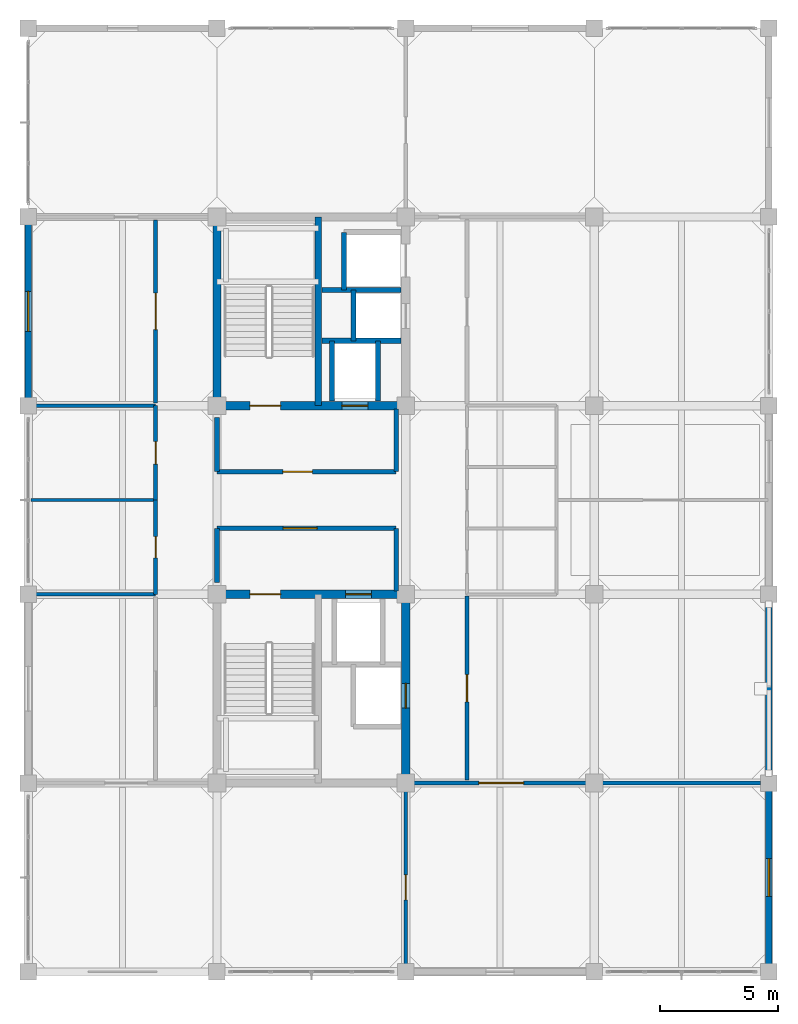
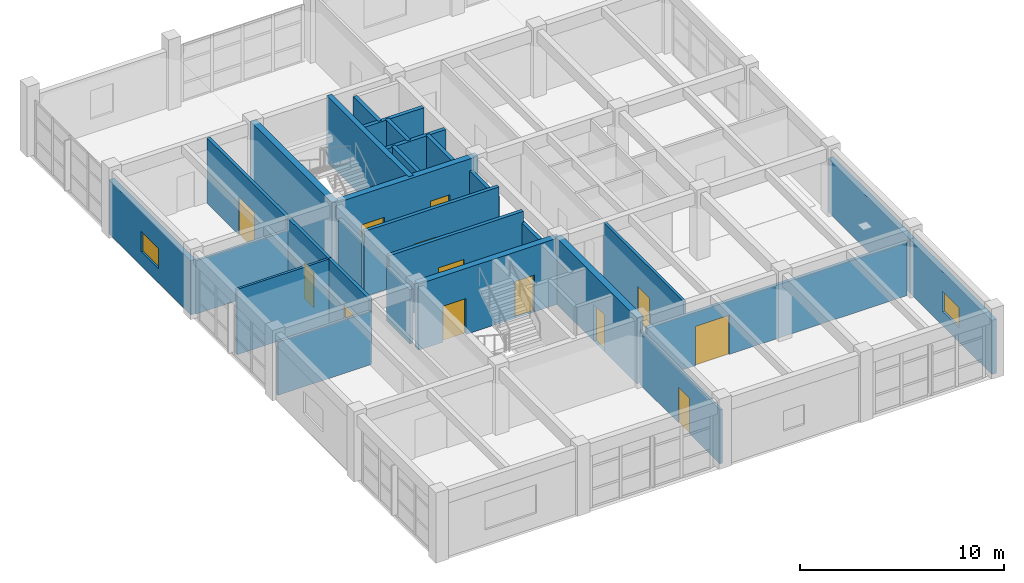
# One storey, part 15 of 19: 29 walls, 13 doors, 2 windows, 15 openings.
"""IFC4 building model written with IfcOpenShell, lengths in metres."""

from ifc_helpers import new_model, si_unit, direction, frame, frame_2d, origin, place, context, subcontext, project, spatial, rectangle, extrude, material, layer, layer_set, type_object, element, fill, save


model = new_model("IFC4")

# Units and contexts
model_context = context("Model", 3, precision=1e-05, world=origin(), true_north=direction((0.0, 1.0)))
body_context = subcontext(model_context, "Body", "Model", "MODEL_VIEW")
ifc_project = project(units=[si_unit("LENGTHUNIT", "METRE"), si_unit("AREAUNIT", "SQUARE_METRE"), si_unit("VOLUMEUNIT", "CUBIC_METRE"), si_unit("PLANEANGLEUNIT", "RADIAN"), si_unit("MASSUNIT", "GRAM", prefix="KILO")], contexts=[model_context])

# Site, building, storey
site_placement = place(None, origin())
site = spatial("IfcSite", under=ifc_project, at=site_placement, CompositionType="ELEMENT")
building_placement = place(site_placement, origin())
building = spatial("IfcBuilding", under=site, at=building_placement, Name="Canggui Botanical Conservatory", CompositionType="ELEMENT")
storey_placement = place(building_placement, frame((0.0, 0.0, 44.39990234375)))
storey = spatial("IfcBuildingStorey", under=building, at=storey_placement, Name="L11", CompositionType="ELEMENT", Elevation=44.39990234375)

# Wall, opening, window
ifc_material_1 = material(Name="Precast Concrete C40", Category="concrete")
ifc_layer_1 = layer(ifc_material_1, 0.280029296875, Name="Precast Concrete C40", Category="concrete")
ifc_layer_set_1 = layer_set([ifc_layer_1], Name="Precast Concrete C40")
wall_type_1 = type_object("IfcWallType", Name="EW-280", PredefinedType="STANDARD", material=ifc_layer_set_1)
wall_1_placement = place(storey_placement, frame((146.0, 58.0, 0.0), z_axis=(0.0, 0.0, 1.0), x_axis=(0.0, 1.0, 0.0)))
wall_1 = element("IfcWall", 1, at=wall_1_placement, inside=storey, type_object=wall_type_1, Name="Tower Insulated Exterior Wall L11-W8", PredefinedType="STANDARD", context=body_context, shape_type="SweptSolid", body=[
    extrude(rectangle(XDim=8.0, YDim=0.280029296875, at=frame_2d((4.0, 0.0))), origin(), (0.0, 0.0, 1.0), 3.239990234375),
])
opening_1_placement = place(wall_1_placement, frame((3.14990234375, 0.0, 0.85009765625)))
opening_1 = element("IfcOpeningElement", 2, at=opening_1_placement, cuts=wall_1, Name="Opening W-23", PredefinedType="OPENING", context=body_context, shape_type="SweptSolid", body=[
    extrude(rectangle(XDim=1.699951171875, YDim=1.199951171875, at=frame_2d((0.85009765625, 0.60009765625))), frame((0.0, 0.14990234375, 0.0), z_axis=(0.0, -1.0, 0.0), x_axis=(1.0, 0.0, 0.0)), (0.0, 0.0, 1.0), 0.300048828125),
])
ifc_material_2 = material(Name="Low-E Insulated Glass", Category="glass")
window_type_1 = type_object("IfcWindowType", Name="WIN-23", PartitioningType="SINGLE_PANEL", PredefinedType="WINDOW", material=ifc_material_2)
window_1_placement = place(opening_1_placement, origin())
window_1 = element("IfcWindow", 3, at=window_1_placement, inside=storey, type_object=window_type_1, Name="Tower Window L11-8", OverallHeight=1.199951171875, OverallWidth=1.699951171875, PartitioningType="SINGLE_PANEL", PredefinedType="WINDOW", context=body_context, shape_type="SweptSolid", body=[
    extrude(rectangle(XDim=1.699951171875, YDim=1.199951171875, at=frame_2d((0.85009765625, 0.60009765625))), frame((0.0, 0.030029296875, 0.0), z_axis=(0.0, -1.0, 0.0), x_axis=(1.0, 0.0, 0.0)), (0.0, 0.0, 1.0), 0.06005859375),
])
fill(opening_1, window_1)

# Wall
wall_2_placement = place(storey_placement, frame((177.39990234375, 50.0, 0.0), z_axis=(0.0, 0.0, 1.0), x_axis=(0.0, -1.0, 0.0)))
element("IfcWall", 4, at=wall_2_placement, inside=storey, type_object=wall_type_1, Name="Tower Insulated Exterior Wall L11-E17", PredefinedType="STANDARD", context=body_context, shape_type="SweptSolid", body=[
    extrude(rectangle(XDim=8.0, YDim=0.280029296875, at=frame_2d((4.0, 0.0))), origin(), (0.0, 0.0, 1.0), 3.239990234375),
])

# Wall, opening, window
wall_3_placement = place(storey_placement, frame((177.39990234375, 42.0, 0.0), z_axis=(0.0, 0.0, 1.0), x_axis=(0.0, -1.0, 0.0)))
wall_3 = element("IfcWall", 5, at=wall_3_placement, inside=storey, type_object=wall_type_1, Name="Tower Insulated Exterior Wall L11-E18", PredefinedType="STANDARD", context=body_context, shape_type="SweptSolid", body=[
    extrude(rectangle(XDim=8.0, YDim=0.280029296875, at=frame_2d((4.0, 0.0))), origin(), (0.0, 0.0, 1.0), 3.239990234375),
])
opening_2_placement = place(wall_3_placement, frame((3.199951171875, 0.0, 0.85009765625)))
opening_2 = element("IfcOpeningElement", 6, at=opening_2_placement, cuts=wall_3, Name="Opening W-04", PredefinedType="OPENING", context=body_context, shape_type="SweptSolid", body=[
    extrude(rectangle(XDim=1.60009765625, YDim=1.199951171875, at=frame_2d((0.800048828125, 0.60009765625))), frame((0.0, 0.14990234375, 0.0), z_axis=(0.0, -1.0, 0.0), x_axis=(1.0, 0.0, 0.0)), (0.0, 0.0, 1.0), 0.300048828125),
])
window_type_2 = type_object("IfcWindowType", Name="WIN-04", PartitioningType="SINGLE_PANEL", PredefinedType="WINDOW", material=ifc_material_2)
window_2_placement = place(opening_2_placement, origin())
window_2 = element("IfcWindow", 7, at=window_2_placement, inside=storey, type_object=window_type_2, Name="Tower Window L11-18", OverallHeight=1.199951171875, OverallWidth=1.60009765625, PartitioningType="SINGLE_PANEL", PredefinedType="WINDOW", context=body_context, shape_type="SweptSolid", body=[
    extrude(rectangle(XDim=1.60009765625, YDim=1.199951171875, at=frame_2d((0.800048828125, 0.60009765625))), frame((0.0, 0.030029296875, 0.0), z_axis=(0.0, -1.0, 0.0), x_axis=(1.0, 0.0, 0.0)), (0.0, 0.0, 1.0), 0.06005859375),
])
fill(opening_2, window_2)

# Wall, opening, door
ifc_material_3 = material(Name="Gypsum Plasterboard Partition")
ifc_layer_2 = layer(ifc_material_3, 0.175048828125, Name="Gypsum Plasterboard Partition")
ifc_layer_set_2 = layer_set([ifc_layer_2], Name="Gypsum Plasterboard Partition")
wall_type_2 = type_object("IfcWallType", Name="IW-CORR-175", PredefinedType="STANDARD", material=ifc_layer_set_2)
wall_4_placement = place(storey_placement, frame((151.39990234375, 58.1201171875, 0.0), z_axis=(0.0, 0.0, 1.0), x_axis=(0.0, 1.0, 0.0)))
wall_4 = element("IfcWall", 8, at=wall_4_placement, inside=storey, type_object=wall_type_2, Name="L11 Analytical Standards Prep Room Corridor Wall", PredefinedType="STANDARD", context=body_context, shape_type="SweptSolid", body=[
    extrude(rectangle(XDim=7.759765625, YDim=0.175048828125, at=frame_2d((3.8798828125, 0.0))), origin(), (0.0, 0.0, 1.0), 3.900146484375),
])
opening_3_placement = place(wall_4_placement, frame((3.10498046875, 0.0, 0.0)))
opening_3 = element("IfcOpeningElement", 9, at=opening_3_placement, cuts=wall_4, Name="Opening FD-14", PredefinedType="OPENING", context=body_context, shape_type="SweptSolid", body=[
    extrude(rectangle(XDim=1.550048828125, YDim=2.25, at=frame_2d((0.77490234375, 1.125))), frame((0.0, 0.09765625, 0.0), z_axis=(0.0, -1.0, 0.0), x_axis=(1.0, 0.0, 0.0)), (0.0, 0.0, 1.0), 0.195068359375),
])
ifc_material_4 = material(Name="Powder-Coated Steel", Category="steel")
door_type_1 = type_object("IfcDoorType", Name="FD-14", OperationType="NOTDEFINED", PredefinedType="DOOR", material=ifc_material_4)
door_1_placement = place(opening_3_placement, origin())
door_1 = element("IfcDoor", 10, at=door_1_placement, inside=storey, type_object=door_type_1, Name="L11 Analytical Standards Prep Room Entrance Door", OperationType="SINGLE_SWING_RIGHT", OverallHeight=2.25, OverallWidth=1.550048828125, PredefinedType="DOOR", context=body_context, shape_type="SweptSolid", body=[
    extrude(rectangle(XDim=1.550048828125, YDim=2.25, at=frame_2d((0.77490234375, 1.125))), frame((0.0, 0.02490234375, 0.0), z_axis=(0.0, -1.0, 0.0), x_axis=(1.0, 0.0, 0.0)), (0.0, 0.0, 1.0), 0.050048828125),
])
fill(opening_3, door_1)

wall_5_placement = place(storey_placement, frame((151.39990234375, 50.0, 0.0), z_axis=(0.0, 0.0, 1.0), x_axis=(0.0, 1.0, 0.0)))
wall_5 = element("IfcWall", 11, at=wall_5_placement, inside=storey, type_object=wall_type_2, Name="L11 Cleaners' Store Wall", PredefinedType="STANDARD", context=body_context, shape_type="SweptSolid", body=[
    extrude(rectangle(XDim=4.0, YDim=0.175048828125, at=frame_2d((2.0, 0.0))), origin(), (0.0, 0.0, 1.0), 3.900146484375),
])
opening_4_placement = place(wall_5_placement, frame((1.550048828125, 0.0, 0.0)))
opening_4 = element("IfcOpeningElement", 12, at=opening_4_placement, cuts=wall_5, Name="Opening FD-01", PredefinedType="OPENING", context=body_context, shape_type="SweptSolid", body=[
    extrude(rectangle(XDim=0.89990234375, YDim=2.10009765625, at=frame_2d((0.449951171875, 1.050048828125))), frame((0.0, 0.09765625, 0.0), z_axis=(0.0, -1.0, 0.0), x_axis=(1.0, 0.0, 0.0)), (0.0, 0.0, 1.0), 0.195068359375),
])
door_type_2 = type_object("IfcDoorType", Name="FD-01", OperationType="NOTDEFINED", PredefinedType="DOOR", material=ifc_material_4)
door_2_placement = place(opening_4_placement, origin())
door_2 = element("IfcDoor", 13, at=door_2_placement, inside=storey, type_object=door_type_2, Name="Interior Door IW-L11-STRW1", OperationType="SINGLE_SWING_LEFT", OverallHeight=2.10009765625, OverallWidth=0.89990234375, PredefinedType="DOOR", context=body_context, shape_type="SweptSolid", body=[
    extrude(rectangle(XDim=0.89990234375, YDim=2.10009765625, at=frame_2d((0.449951171875, 1.050048828125))), frame((0.0, 0.02490234375, 0.0), z_axis=(0.0, -1.0, 0.0), x_axis=(1.0, 0.0, 0.0)), (0.0, 0.0, 1.0), 0.050048828125),
])
fill(opening_4, door_2)

wall_6_placement = place(storey_placement, frame((151.39990234375, 54.0, 0.0), z_axis=(0.0, 0.0, 1.0), x_axis=(0.0, 1.0, 0.0)))
wall_6 = element("IfcWall", 14, at=wall_6_placement, inside=storey, type_object=wall_type_2, Name="L11 Consumables Store Wall", PredefinedType="STANDARD", context=body_context, shape_type="SweptSolid", body=[
    extrude(rectangle(XDim=4.0, YDim=0.175048828125, at=frame_2d((2.0, 0.0))), origin(), (0.0, 0.0, 1.0), 3.900146484375),
])
opening_5_placement = place(wall_6_placement, frame((1.52490234375, 0.0, 0.0)))
opening_5 = element("IfcOpeningElement", 15, at=opening_5_placement, cuts=wall_6, Name="Opening FD-02", PredefinedType="OPENING", context=body_context, shape_type="SweptSolid", body=[
    extrude(rectangle(XDim=0.949951171875, YDim=2.10009765625, at=frame_2d((0.47509765625, 1.050048828125))), frame((0.0, 0.09765625, 0.0), z_axis=(0.0, -1.0, 0.0), x_axis=(1.0, 0.0, 0.0)), (0.0, 0.0, 1.0), 0.195068359375),
])
door_type_3 = type_object("IfcDoorType", Name="FD-02", OperationType="NOTDEFINED", PredefinedType="DOOR", material=ifc_material_4)
door_3_placement = place(opening_5_placement, origin())
door_3 = element("IfcDoor", 16, at=door_3_placement, inside=storey, type_object=door_type_3, Name="Interior Door IW-L11-STRW2", OperationType="SINGLE_SWING_RIGHT", OverallHeight=2.10009765625, OverallWidth=0.949951171875, PredefinedType="DOOR", context=body_context, shape_type="SweptSolid", body=[
    extrude(rectangle(XDim=0.949951171875, YDim=2.10009765625, at=frame_2d((0.47509765625, 1.050048828125))), frame((0.0, 0.02490234375, 0.0), z_axis=(0.0, -1.0, 0.0), x_axis=(1.0, 0.0, 0.0)), (0.0, 0.0, 1.0), 0.050048828125),
])
fill(opening_5, door_3)

wall_7_placement = place(storey_placement, frame((162.35009765625, 42.0, 0.0), z_axis=(0.0, 0.0, 1.0), x_axis=(1.0, 0.0, 0.0)))
wall_7 = element("IfcWall", 17, at=wall_7_placement, inside=storey, type_object=wall_type_2, Name="L11 Mass Spectrometry Instrument Room South Suite Wall", PredefinedType="STANDARD", context=body_context, shape_type="SweptSolid", body=[
    extrude(rectangle(XDim=14.699951171875, YDim=0.175048828125, at=frame_2d((7.35009765625, 0.0))), origin(), (0.0, 0.0, 1.0), 3.190185546875),
])
opening_6_placement = place(wall_7_placement, frame((2.75, 0.0, 0.0)))
opening_6 = element("IfcOpeningElement", 18, at=opening_6_placement, cuts=wall_7, Name="Opening FD-18", PredefinedType="OPENING", context=body_context, shape_type="SweptSolid", body=[
    extrude(rectangle(XDim=1.89990234375, YDim=2.35009765625, at=frame_2d((0.949951171875, 1.175048828125))), frame((0.0, 0.09765625, 0.0), z_axis=(0.0, -1.0, 0.0), x_axis=(1.0, 0.0, 0.0)), (0.0, 0.0, 1.0), 0.195068359375),
])
door_type_4 = type_object("IfcDoorType", Name="FD-18", OperationType="NOTDEFINED", PredefinedType="DOOR", material=ifc_material_4)
door_4_placement = place(opening_6_placement, origin())
door_4 = element("IfcDoor", 19, at=door_4_placement, inside=storey, type_object=door_type_4, Name="Interior Door IW-L11-SCOR-2", OperationType="DOUBLE_DOOR_SINGLE_SWING", OverallHeight=2.35009765625, OverallWidth=1.89990234375, PredefinedType="DOOR", context=body_context, shape_type="SweptSolid", body=[
    extrude(rectangle(XDim=1.89990234375, YDim=2.35009765625, at=frame_2d((0.949951171875, 1.175048828125))), frame((0.0, 0.02490234375, 0.0), z_axis=(0.0, -1.0, 0.0), x_axis=(1.0, 0.0, 0.0)), (0.0, 0.0, 1.0), 0.050048828125),
])
fill(opening_6, door_4)

ifc_layer_3 = layer(ifc_material_3, 0.155029296875, Name="Gypsum Plasterboard Partition")
ifc_layer_set_3 = layer_set([ifc_layer_3], Name="Gypsum Plasterboard Partition")
wall_type_3 = type_object("IfcWallType", Name="IW-LAB-155", PredefinedType="STANDARD", material=ifc_layer_set_3)
wall_8_placement = place(storey_placement, frame((164.60009765625, 42.1201171875, 0.0), z_axis=(0.0, 0.0, 1.0), x_axis=(0.0, 1.0, 0.0)))
wall_8 = element("IfcWall", 20, at=wall_8_placement, inside=storey, type_object=wall_type_3, Name="L11 Chromatography Research Laboratory Lab Wall", PredefinedType="STANDARD", context=body_context, shape_type="SweptSolid", body=[
    extrude(rectangle(XDim=7.7998046875, YDim=0.155029296875, at=frame_2d((3.89990234375, 0.0))), origin(), (0.0, 0.0, 1.0), 3.900146484375),
])
opening_7_placement = place(wall_8_placement, frame((3.324951171875, 0.0, 0.0)))
opening_7 = element("IfcOpeningElement", 21, at=opening_7_placement, cuts=wall_8, Name="Opening FD-06", PredefinedType="OPENING", context=body_context, shape_type="SweptSolid", body=[
    extrude(rectangle(XDim=1.14990234375, YDim=2.10009765625, at=frame_2d((0.574951171875, 1.050048828125))), frame((0.0, 0.08740234375, 0.0), z_axis=(0.0, -1.0, 0.0), x_axis=(1.0, 0.0, 0.0)), (0.0, 0.0, 1.0), 0.175048828125),
])
door_type_5 = type_object("IfcDoorType", Name="FD-06", OperationType="NOTDEFINED", PredefinedType="DOOR", material=ifc_material_4)
door_5_placement = place(opening_7_placement, origin())
door_5 = element("IfcDoor", 22, at=door_5_placement, inside=storey, type_object=door_type_5, Name="Interior Door IW-L11-ECOR-1-1", OperationType="SINGLE_SWING_LEFT", OverallHeight=2.10009765625, OverallWidth=1.14990234375, PredefinedType="DOOR", context=body_context, shape_type="SweptSolid", body=[
    extrude(rectangle(XDim=1.14990234375, YDim=2.10009765625, at=frame_2d((0.574951171875, 1.050048828125))), frame((0.0, 0.02490234375, 0.0), z_axis=(0.0, -1.0, 0.0), x_axis=(1.0, 0.0, 0.0)), (0.0, 0.0, 1.0), 0.050048828125),
])
fill(opening_7, door_5)

ifc_material_5 = material(Name="Concrete C35", Category="concrete")
ifc_layer_4 = layer(ifc_material_5, 0.195068359375, Name="Concrete C35", Category="concrete")
ifc_layer_set_4 = layer_set([ifc_layer_4], Name="Concrete C35")
wall_type_4 = type_object("IfcWallType", Name="IW-LOBBY-195", PredefinedType="STANDARD", material=ifc_layer_set_4)
wall_9_placement = place(storey_placement, frame((154.0, 52.800048828125, 0.0), z_axis=(0.0, 0.0, 1.0), x_axis=(1.0, 0.0, 0.0)))
wall_9 = element("IfcWall", 23, at=wall_9_placement, inside=storey, type_object=wall_type_4, Name="L11 South Firefighting Lift Lobby North Wall", PredefinedType="STANDARD", context=body_context, shape_type="SweptSolid", body=[
    extrude(rectangle(XDim=7.60009765625, YDim=0.195068359375, at=frame_2d((3.800048828125, 0.0))), origin(), (0.0, 0.0, 1.0), 3.900146484375),
])
opening_8_placement = place(wall_9_placement, frame((2.800048828125, 0.0, 0.0)))
opening_8 = element("IfcOpeningElement", 24, at=opening_8_placement, cuts=wall_9, Name="Opening FD-12", PredefinedType="OPENING", context=body_context, shape_type="SweptSolid", body=[
    extrude(rectangle(XDim=1.449951171875, YDim=2.199951171875, at=frame_2d((0.72509765625, 1.10009765625))), frame((0.0, 0.107421875, 0.0), z_axis=(0.0, -1.0, 0.0), x_axis=(1.0, 0.0, 0.0)), (0.0, 0.0, 1.0), 0.215087890625),
])
door_type_6 = type_object("IfcDoorType", Name="FD-12", OperationType="NOTDEFINED", PredefinedType="DOOR", material=ifc_material_4)
door_6_placement = place(opening_8_placement, origin())
door_6 = element("IfcDoor", 25, at=door_6_placement, inside=storey, type_object=door_type_6, Name="L11 South Firefighting Lobby Fire Door", OperationType="SINGLE_SWING_RIGHT", OverallHeight=2.199951171875, OverallWidth=1.449951171875, PredefinedType="DOOR", context=body_context, shape_type="SweptSolid", body=[
    extrude(rectangle(XDim=1.449951171875, YDim=2.199951171875, at=frame_2d((0.72509765625, 1.10009765625))), frame((0.0, 0.02490234375, 0.0), z_axis=(0.0, -1.0, 0.0), x_axis=(1.0, 0.0, 0.0)), (0.0, 0.0, 1.0), 0.050048828125),
])
fill(opening_8, door_6)

# Walls
wall_10_placement = place(storey_placement, frame((161.60009765625, 50.14990234375, 0.0), z_axis=(0.0, 0.0, 1.0), x_axis=(0.0, 1.0, 0.0)))
element("IfcWall", 26, at=wall_10_placement, inside=storey, type_object=wall_type_4, Name="L11 South Firefighting Lift Lobby East Wall", PredefinedType="STANDARD", context=body_context, shape_type="SweptSolid", body=[
    extrude(rectangle(XDim=2.650146484375, YDim=0.195068359375, at=frame_2d((1.3251953125, 0.0))), origin(), (0.0, 0.0, 1.0), 3.239990234375),
])
wall_11_placement = place(storey_placement, frame((154.0, 50.5, 0.0), z_axis=(0.0, 0.0, 1.0), x_axis=(0.0, 1.0, 0.0)))
element("IfcWall", 27, at=wall_11_placement, inside=storey, type_object=wall_type_4, Name="L11 South Firefighting Lift Lobby West Wall", PredefinedType="STANDARD", context=body_context, shape_type="SweptSolid", body=[
    extrude(rectangle(XDim=2.300048828125, YDim=0.195068359375, at=frame_2d((1.14990234375, 0.0))), origin(), (0.0, 0.0, 1.0), 3.239990234375),
])

# Wall, opening, door
wall_12_placement = place(storey_placement, frame((154.0, 55.199951171875, 0.0), z_axis=(0.0, 0.0, 1.0), x_axis=(1.0, 0.0, 0.0)))
wall_12 = element("IfcWall", 28, at=wall_12_placement, inside=storey, type_object=wall_type_4, Name="L11 North Firefighting Lift Lobby South Wall", PredefinedType="STANDARD", context=body_context, shape_type="SweptSolid", body=[
    extrude(rectangle(XDim=7.60009765625, YDim=0.195068359375, at=frame_2d((3.800048828125, 0.0))), origin(), (0.0, 0.0, 1.0), 3.900146484375),
])
opening_9_placement = place(wall_12_placement, frame((2.800048828125, 0.0, 0.0)))
opening_9 = element("IfcOpeningElement", 29, at=opening_9_placement, cuts=wall_12, Name="Opening FD-08", PredefinedType="OPENING", context=body_context, shape_type="SweptSolid", body=[
    extrude(rectangle(XDim=1.25, YDim=2.14990234375, at=frame_2d((0.625, 1.074951171875))), frame((0.0, 0.107421875, 0.0), z_axis=(0.0, -1.0, 0.0), x_axis=(1.0, 0.0, 0.0)), (0.0, 0.0, 1.0), 0.215087890625),
])
door_type_7 = type_object("IfcDoorType", Name="FD-08", OperationType="NOTDEFINED", PredefinedType="DOOR", material=ifc_material_4)
door_7_placement = place(opening_9_placement, origin())
door_7 = element("IfcDoor", 30, at=door_7_placement, inside=storey, type_object=door_type_7, Name="L11 North Firefighting Lobby Fire Door", OperationType="SINGLE_SWING_LEFT", OverallHeight=2.14990234375, OverallWidth=1.25, PredefinedType="DOOR", context=body_context, shape_type="SweptSolid", body=[
    extrude(rectangle(XDim=1.25, YDim=2.14990234375, at=frame_2d((0.625, 1.074951171875))), frame((0.0, 0.02490234375, 0.0), z_axis=(0.0, -1.0, 0.0), x_axis=(1.0, 0.0, 0.0)), (0.0, 0.0, 1.0), 0.050048828125),
])
fill(opening_9, door_7)

# Walls
wall_13_placement = place(storey_placement, frame((161.60009765625, 55.199951171875, 0.0), z_axis=(0.0, 0.0, 1.0), x_axis=(0.0, 1.0, 0.0)))
element("IfcWall", 31, at=wall_13_placement, inside=storey, type_object=wall_type_4, Name="L11 North Firefighting Lift Lobby East Wall", PredefinedType="STANDARD", context=body_context, shape_type="SweptSolid", body=[
    extrude(rectangle(XDim=2.650146484375, YDim=0.195068359375, at=frame_2d((1.3251953125, 0.0))), origin(), (0.0, 0.0, 1.0), 3.239990234375),
])
wall_14_placement = place(storey_placement, frame((154.0, 55.199951171875, 0.0), z_axis=(0.0, 0.0, 1.0), x_axis=(0.0, 1.0, 0.0)))
element("IfcWall", 32, at=wall_14_placement, inside=storey, type_object=wall_type_4, Name="L11 North Firefighting Lift Lobby West Wall", PredefinedType="STANDARD", context=body_context, shape_type="SweptSolid", body=[
    extrude(rectangle(XDim=2.300048828125, YDim=0.195068359375, at=frame_2d((1.14990234375, 0.0))), origin(), (0.0, 0.0, 1.0), 3.239990234375),
])
ifc_layer_5 = layer(ifc_material_3, 0.139892578125, Name="Gypsum Plasterboard Partition")
ifc_layer_set_5 = layer_set([ifc_layer_5], Name="Gypsum Plasterboard Partition")
wall_type_5 = type_object("IfcWallType", Name="IW-PART-140", PredefinedType="STANDARD", material=ifc_layer_set_5)
wall_15_placement = place(storey_placement, frame((146.1201171875, 50.0, 0.0), z_axis=(0.0, 0.0, 1.0), x_axis=(1.0, 0.0, 0.0)))
element("IfcWall", 33, at=wall_15_placement, inside=storey, type_object=wall_type_5, Name="L11 Store South Cross Wall", PredefinedType="STANDARD", context=body_context, shape_type="SweptSolid", body=[
    extrude(rectangle(XDim=5.27978515625, YDim=0.139892578125, at=frame_2d((2.639892578125, 0.0))), origin(), (0.0, 0.0, 1.0), 3.190185546875),
])
wall_16_placement = place(storey_placement, frame((146.1201171875, 54.0, 0.0), z_axis=(0.0, 0.0, 1.0), x_axis=(1.0, 0.0, 0.0)))
element("IfcWall", 34, at=wall_16_placement, inside=storey, type_object=wall_type_5, Name="L11 Store Cross Wall", PredefinedType="STANDARD", context=body_context, shape_type="SweptSolid", body=[
    extrude(rectangle(XDim=5.27978515625, YDim=0.139892578125, at=frame_2d((2.639892578125, 0.0))), origin(), (0.0, 0.0, 1.0), 3.900146484375),
])
wall_17_placement = place(storey_placement, frame((146.1201171875, 58.0, 0.0), z_axis=(0.0, 0.0, 1.0), x_axis=(1.0, 0.0, 0.0)))
element("IfcWall", 35, at=wall_17_placement, inside=storey, type_object=wall_type_5, Name="L11 Store North Cross Wall", PredefinedType="STANDARD", context=body_context, shape_type="SweptSolid", body=[
    extrude(rectangle(XDim=5.27978515625, YDim=0.139892578125, at=frame_2d((2.639892578125, 0.0))), origin(), (0.0, 0.0, 1.0), 3.190185546875),
])

# Wall, opening, door
wall_18_placement = place(storey_placement, frame((162.0, 34.050048828125, 0.0), z_axis=(0.0, 0.0, 1.0), x_axis=(0.0, 1.0, 0.0)))
wall_18 = element("IfcWall", 36, at=wall_18_placement, inside=storey, type_object=wall_type_5, Name="L11 Phytochemistry Analytical Laboratory South Cross Wall", PredefinedType="STANDARD", context=body_context, shape_type="SweptSolid", body=[
    extrude(rectangle(XDim=7.829833984375, YDim=0.139892578125, at=frame_2d((3.9150390625, 0.0))), origin(), (0.0, 0.0, 1.0), 3.239990234375),
])
opening_10_placement = place(wall_18_placement, frame((3.0, 0.0, 0.0)))
opening_10 = element("IfcOpeningElement", 37, at=opening_10_placement, cuts=wall_18, Name="Opening ID-05", PredefinedType="OPENING", context=body_context, shape_type="SweptSolid", body=[
    extrude(rectangle(XDim=1.06005859375, YDim=2.1201171875, at=frame_2d((0.530029296875, 1.06005859375))), frame((0.0, 0.080078125, 0.0), z_axis=(0.0, -1.0, 0.0), x_axis=(1.0, 0.0, 0.0)), (0.0, 0.0, 1.0), 0.159912109375),
])
ifc_material_6 = material(Name="Engineered Timber Veneer", Category="wood")
door_type_8 = type_object("IfcDoorType", Name="ID-05", OperationType="NOTDEFINED", PredefinedType="DOOR", material=ifc_material_6)
door_8_placement = place(opening_10_placement, origin())
door_8 = element("IfcDoor", 38, at=door_8_placement, inside=storey, type_object=door_type_8, Name="Interior Door IW-L11-SDIV-1", OperationType="SINGLE_SWING_LEFT", OverallHeight=2.1201171875, OverallWidth=1.06005859375, PredefinedType="DOOR", context=body_context, shape_type="SweptSolid", body=[
    extrude(rectangle(XDim=1.06005859375, YDim=2.1201171875, at=frame_2d((0.530029296875, 1.06005859375))), frame((0.0, 0.02490234375, 0.0), z_axis=(0.0, -1.0, 0.0), x_axis=(1.0, 0.0, 0.0)), (0.0, 0.0, 1.0), 0.050048828125),
])
fill(opening_10, door_8)

# Walls
ifc_layer_6 = layer(ifc_material_5, 0.215087890625, Name="Concrete C35", Category="concrete")
ifc_layer_set_6 = layer_set([ifc_layer_6], Name="Concrete C35")
wall_type_6 = type_object("IfcWallType", Name="IW-SHAFT-215", PredefinedType="STANDARD", material=ifc_layer_set_6)
wall_19_placement = place(storey_placement, frame((158.449951171875, 62.89990234375, 0.0), z_axis=(0.0, 0.0, 1.0), x_axis=(1.0, 0.0, 0.0)))
element("IfcWall", 39, at=wall_19_placement, inside=storey, type_object=wall_type_6, Name="Core T2 Goods Lift Shaft Divider L11", PredefinedType="STANDARD", context=body_context, shape_type="SweptSolid", body=[
    extrude(rectangle(XDim=3.35009765625, YDim=0.215087890625, at=frame_2d((1.675048828125, 0.0))), origin(), (0.0, 0.0, 1.0), 3.900146484375),
])
wall_20_placement = place(storey_placement, frame((160.820068359375, 58.199951171875, 0.0), z_axis=(0.0, 0.0, 1.0), x_axis=(0.0, 1.0, 0.0)))
element("IfcWall", 40, at=wall_20_placement, inside=storey, type_object=wall_type_6, Name="Core T2 Lift Bank Web L11", PredefinedType="STANDARD", context=body_context, shape_type="SweptSolid", body=[
    extrude(rectangle(XDim=2.550048828125, YDim=0.215087890625, at=frame_2d((1.27490234375, 0.0))), origin(), (0.0, 0.0, 1.0), 3.900146484375),
])
wall_21_placement = place(storey_placement, frame((159.3798828125, 62.89990234375, 0.0), z_axis=(0.0, 0.0, 1.0), x_axis=(0.0, 1.0, 0.0)))
element("IfcWall", 41, at=wall_21_placement, inside=storey, type_object=wall_type_6, Name="Core T2 GL-01 West Shaft Wall L11", PredefinedType="STANDARD", context=body_context, shape_type="SweptSolid", body=[
    extrude(rectangle(XDim=2.4501953125, YDim=0.215087890625, at=frame_2d((1.22509765625, 0.0))), origin(), (0.0, 0.0, 1.0), 3.900146484375),
])
wall_22_placement = place(storey_placement, frame((158.449951171875, 60.75, 0.0), z_axis=(0.0, 0.0, 1.0), x_axis=(1.0, 0.0, 0.0)))
element("IfcWall", 42, at=wall_22_placement, inside=storey, type_object=wall_type_6, Name="Core T2 PL-02 South Shaft Wall L11", PredefinedType="STANDARD", context=body_context, shape_type="SweptSolid", body=[
    extrude(rectangle(XDim=3.35009765625, YDim=0.215087890625, at=frame_2d((1.675048828125, 0.0))), origin(), (0.0, 0.0, 1.0), 3.900146484375),
])
wall_23_placement = place(storey_placement, frame((159.780029296875, 60.75, 0.0), z_axis=(0.0, 0.0, 1.0), x_axis=(0.0, 1.0, 0.0)))
element("IfcWall", 43, at=wall_23_placement, inside=storey, type_object=wall_type_6, Name="Core T2 PL-02 West Shaft Wall L11", PredefinedType="STANDARD", context=body_context, shape_type="SweptSolid", body=[
    extrude(rectangle(XDim=2.14990234375, YDim=0.215087890625, at=frame_2d((1.074951171875, 0.0))), origin(), (0.0, 0.0, 1.0), 3.900146484375),
])
wall_24_placement = place(storey_placement, frame((158.8798828125, 58.199951171875, 0.0), z_axis=(0.0, 0.0, 1.0), x_axis=(0.0, 1.0, 0.0)))
element("IfcWall", 44, at=wall_24_placement, inside=storey, type_object=wall_type_6, Name="Core T2 FL-02 West Shaft Wall L11", PredefinedType="STANDARD", context=body_context, shape_type="SweptSolid", body=[
    extrude(rectangle(XDim=2.550048828125, YDim=0.215087890625, at=frame_2d((1.27490234375, 0.0))), origin(), (0.0, 0.0, 1.0), 3.900146484375),
])
ifc_layer_7 = layer(ifc_material_5, 0.280029296875, Name="Concrete C35", Category="concrete")
ifc_layer_set_7 = layer_set([ifc_layer_7], Name="Concrete C35")
wall_type_7 = type_object("IfcWallType", Name="WALL-SH-280-C35", PredefinedType="SHEAR", material=ifc_layer_set_7)
wall_25_placement = place(storey_placement, frame((158.300048828125, 58.0, 0.0), z_axis=(0.0, 0.0, 1.0), x_axis=(0.0, 1.0, 0.0)))
element("IfcWall", 45, at=wall_25_placement, inside=storey, type_object=wall_type_7, Name="Core T2 Internal Shear Web L11", PredefinedType="SHEAR", context=body_context, shape_type="SweptSolid", body=[
    extrude(rectangle(XDim=8.0, YDim=0.280029296875, at=frame_2d((4.0, 0.0))), origin(), (0.0, 0.0, 1.0), 3.9501953125),
])

# Wall, opening, door
ifc_material_7 = material(Name="Concrete C40", Category="concrete")
ifc_layer_8 = layer(ifc_material_7, 0.35009765625, Name="Concrete C40", Category="concrete")
ifc_layer_set_8 = layer_set([ifc_layer_8], Name="Concrete C40")
wall_type_8 = type_object("IfcWallType", Name="WALL-SH-350-C40", PredefinedType="SHEAR", material=ifc_layer_set_8)
wall_26_placement = place(storey_placement, frame((162.0, 42.0, 0.0), z_axis=(0.0, 0.0, 1.0), x_axis=(0.0, 1.0, 0.0)))
wall_26 = element("IfcWall", 46, at=wall_26_placement, inside=storey, type_object=wall_type_8, Name="Core T1 Shear Wall L11-E", PredefinedType="SHEAR", context=body_context, shape_type="SweptSolid", body=[
    extrude(rectangle(XDim=8.0, YDim=0.35009765625, at=frame_2d((4.0, 0.0))), origin(), (0.0, 0.0, 1.0), 3.9501953125),
])
opening_11_placement = place(wall_26_placement, frame((3.175048828125, 0.0, 0.0)))
opening_11 = element("IfcOpeningElement", 47, at=opening_11_placement, cuts=wall_26, Name="Opening LD-02", PredefinedType="OPENING", context=body_context, shape_type="SweptSolid", body=[
    extrude(rectangle(XDim=1.050048828125, YDim=2.199951171875, at=frame_2d((0.52490234375, 1.10009765625))), frame((0.0, 0.18505859375, 0.0), z_axis=(0.0, -1.0, 0.0), x_axis=(1.0, 0.0, 0.0)), (0.0, 0.0, 1.0), 0.3701171875),
])
ifc_material_8 = material(Name="Stainless Steel 304", Category="steel")
door_type_9 = type_object("IfcDoorType", Name="LDR-02", OperationType="NOTDEFINED", PredefinedType="DOOR", material=ifc_material_8)
door_9_placement = place(opening_11_placement, origin())
door_9 = element("IfcDoor", 48, at=door_9_placement, inside=storey, type_object=door_type_9, Name="Passenger Lift PL-01 Landing Door L11", OperationType="SLIDING_TO_LEFT", OverallHeight=2.199951171875, OverallWidth=1.050048828125, PredefinedType="DOOR", context=body_context, shape_type="SweptSolid", body=[
    extrude(rectangle(XDim=1.050048828125, YDim=2.199951171875, at=frame_2d((0.52490234375, 1.10009765625))), frame((0.0, 0.02490234375, 0.0), z_axis=(0.0, -1.0, 0.0), x_axis=(1.0, 0.0, 0.0)), (0.0, 0.0, 1.0), 0.050048828125),
])
fill(opening_11, door_9)

# Wall, openings, doors
wall_27_placement = place(storey_placement, frame((162.0, 50.0, 0.0), z_axis=(0.0, 0.0, 1.0), x_axis=(-1.0, 0.0, 0.0)))
wall_27 = element("IfcWall", 49, at=wall_27_placement, inside=storey, type_object=wall_type_8, Name="Core T1 Shear Wall L11-N", PredefinedType="SHEAR", context=body_context, shape_type="SweptSolid", body=[
    extrude(rectangle(XDim=8.0, YDim=0.35009765625, at=frame_2d((4.0, 0.0))), origin(), (0.0, 0.0, 1.0), 3.9501953125),
])
opening_12_placement = place(wall_27_placement, frame((5.300048828125, 0.0, 0.0)))
opening_12 = element("IfcOpeningElement", 50, at=opening_12_placement, cuts=wall_27, Name="Opening FD-09", PredefinedType="OPENING", context=body_context, shape_type="SweptSolid", body=[
    extrude(rectangle(XDim=1.300048828125, YDim=2.14990234375, at=frame_2d((0.64990234375, 1.074951171875))), frame((0.0, 0.18505859375, 0.0), z_axis=(0.0, -1.0, 0.0), x_axis=(1.0, 0.0, 0.0)), (0.0, 0.0, 1.0), 0.3701171875),
])
opening_13_placement = place(wall_27_placement, frame((1.449951171875, 0.0, 0.0)))
opening_13 = element("IfcOpeningElement", 51, at=opening_13_placement, cuts=wall_27, Name="Opening LD-01", PredefinedType="OPENING", context=body_context, shape_type="SweptSolid", body=[
    extrude(rectangle(XDim=1.10009765625, YDim=2.199951171875, at=frame_2d((0.550048828125, 1.10009765625))), frame((0.0, 0.18505859375, 0.0), z_axis=(0.0, -1.0, 0.0), x_axis=(1.0, 0.0, 0.0)), (0.0, 0.0, 1.0), 0.3701171875),
])
door_type_10 = type_object("IfcDoorType", Name="FD-09", OperationType="NOTDEFINED", PredefinedType="DOOR", material=ifc_material_4)
door_10_placement = place(opening_12_placement, origin())
door_10 = element("IfcDoor", 52, at=door_10_placement, inside=storey, type_object=door_type_10, Name="Tower South Smoke-Proof Stair Door L11", OperationType="SINGLE_SWING_LEFT", OverallHeight=2.14990234375, OverallWidth=1.300048828125, PredefinedType="DOOR", context=body_context, shape_type="SweptSolid", body=[
    extrude(rectangle(XDim=1.300048828125, YDim=2.14990234375, at=frame_2d((0.64990234375, 1.074951171875))), frame((0.0, 0.02490234375, 0.0), z_axis=(0.0, -1.0, 0.0), x_axis=(1.0, 0.0, 0.0)), (0.0, 0.0, 1.0), 0.050048828125),
])
fill(opening_12, door_10)
door_type_11 = type_object("IfcDoorType", Name="LDR-01", OperationType="NOTDEFINED", PredefinedType="DOOR", material=ifc_material_8)
door_11_placement = place(opening_13_placement, origin())
door_11 = element("IfcDoor", 53, at=door_11_placement, inside=storey, type_object=door_type_11, Name="Firefighting Lift FL-01 Landing Door L11", OperationType="SLIDING_TO_LEFT", OverallHeight=2.199951171875, OverallWidth=1.10009765625, PredefinedType="DOOR", context=body_context, shape_type="SweptSolid", body=[
    extrude(rectangle(XDim=1.10009765625, YDim=2.199951171875, at=frame_2d((0.550048828125, 1.10009765625))), frame((0.0, 0.02490234375, 0.0), z_axis=(0.0, -1.0, 0.0), x_axis=(1.0, 0.0, 0.0)), (0.0, 0.0, 1.0), 0.050048828125),
])
fill(opening_13, door_11)

wall_28_placement = place(storey_placement, frame((154.0, 58.0, 0.0), z_axis=(0.0, 0.0, 1.0), x_axis=(1.0, 0.0, 0.0)))
wall_28 = element("IfcWall", 54, at=wall_28_placement, inside=storey, type_object=wall_type_8, Name="Core T2 Shear Wall L11-S", PredefinedType="SHEAR", context=body_context, shape_type="SweptSolid", body=[
    extrude(rectangle(XDim=8.0, YDim=0.35009765625, at=frame_2d((4.0, 0.0))), origin(), (0.0, 0.0, 1.0), 3.9501953125),
])
opening_14_placement = place(wall_28_placement, frame((1.39990234375, 0.0, 0.0)))
opening_14 = element("IfcOpeningElement", 55, at=opening_14_placement, cuts=wall_28, Name="Opening FD-09", PredefinedType="OPENING", context=body_context, shape_type="SweptSolid", body=[
    extrude(rectangle(XDim=1.300048828125, YDim=2.14990234375, at=frame_2d((0.64990234375, 1.074951171875))), frame((0.0, 0.18505859375, 0.0), z_axis=(0.0, -1.0, 0.0), x_axis=(1.0, 0.0, 0.0)), (0.0, 0.0, 1.0), 0.3701171875),
])
opening_15_placement = place(wall_28_placement, frame((5.300048828125, 0.0, 0.0)))
opening_15 = element("IfcOpeningElement", 56, at=opening_15_placement, cuts=wall_28, Name="Opening LD-01", PredefinedType="OPENING", context=body_context, shape_type="SweptSolid", body=[
    extrude(rectangle(XDim=1.10009765625, YDim=2.199951171875, at=frame_2d((0.550048828125, 1.10009765625))), frame((0.0, 0.18505859375, 0.0), z_axis=(0.0, -1.0, 0.0), x_axis=(1.0, 0.0, 0.0)), (0.0, 0.0, 1.0), 0.3701171875),
])
door_12_placement = place(opening_14_placement, origin())
door_12 = element("IfcDoor", 57, at=door_12_placement, inside=storey, type_object=door_type_10, Name="Tower North Smoke-Proof Stair Door L11", OperationType="SINGLE_SWING_RIGHT", OverallHeight=2.14990234375, OverallWidth=1.300048828125, PredefinedType="DOOR", context=body_context, shape_type="SweptSolid", body=[
    extrude(rectangle(XDim=1.300048828125, YDim=2.14990234375, at=frame_2d((0.64990234375, 1.074951171875))), frame((0.0, 0.02490234375, 0.0), z_axis=(0.0, -1.0, 0.0), x_axis=(1.0, 0.0, 0.0)), (0.0, 0.0, 1.0), 0.050048828125),
])
fill(opening_14, door_12)
door_13_placement = place(opening_15_placement, origin())
door_13 = element("IfcDoor", 58, at=door_13_placement, inside=storey, type_object=door_type_11, Name="Firefighting Lift FL-02 Landing Door L11", OperationType="SLIDING_TO_RIGHT", OverallHeight=2.199951171875, OverallWidth=1.10009765625, PredefinedType="DOOR", context=body_context, shape_type="SweptSolid", body=[
    extrude(rectangle(XDim=1.10009765625, YDim=2.199951171875, at=frame_2d((0.550048828125, 1.10009765625))), frame((0.0, 0.02490234375, 0.0), z_axis=(0.0, -1.0, 0.0), x_axis=(1.0, 0.0, 0.0)), (0.0, 0.0, 1.0), 0.050048828125),
])
fill(opening_15, door_13)

# Wall
wall_29_placement = place(storey_placement, frame((154.0, 66.0, 0.0), z_axis=(0.0, 0.0, 1.0), x_axis=(0.0, -1.0, 0.0)))
element("IfcWall", 59, at=wall_29_placement, inside=storey, type_object=wall_type_8, Name="Core T2 Shear Wall L11-W", PredefinedType="SHEAR", context=body_context, shape_type="SweptSolid", body=[
    extrude(rectangle(XDim=8.0, YDim=0.35009765625, at=frame_2d((4.0, 0.0))), origin(), (0.0, 0.0, 1.0), 3.9501953125),
])

save(model, "model.ifc")
